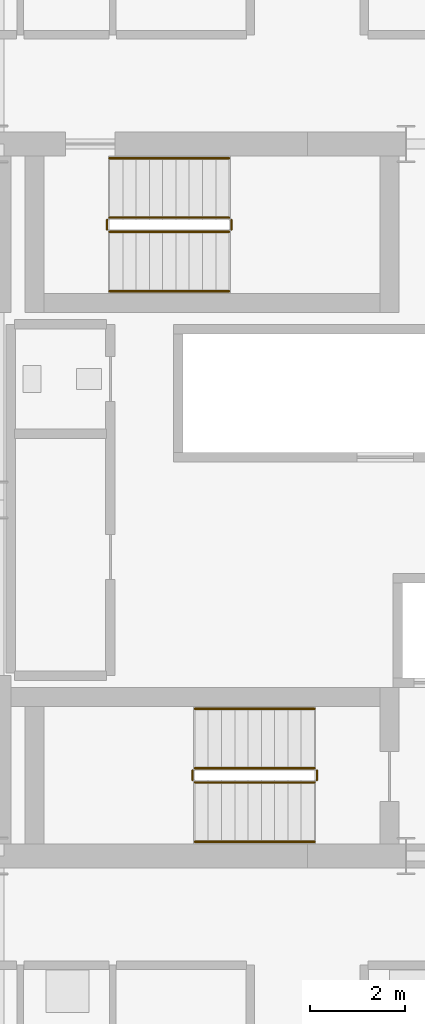
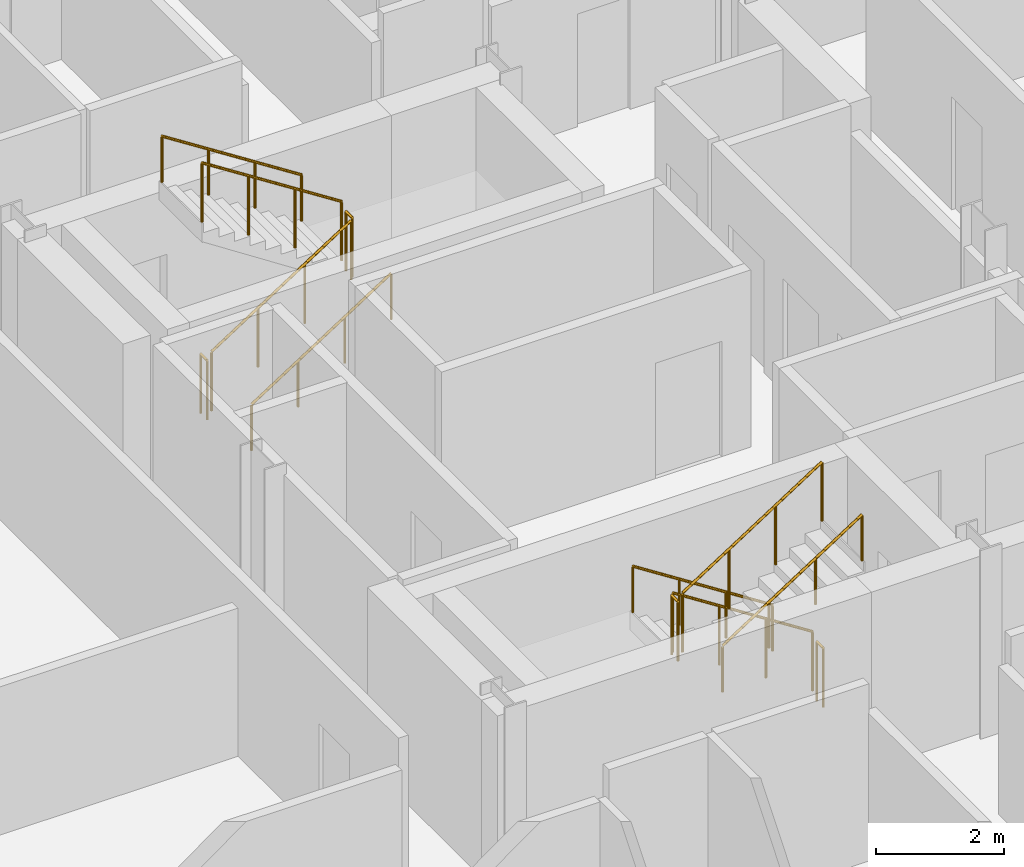
# One storey, part 23 of 24: 12 railings.
"""IFC4 building model written with IfcOpenShell, lengths in metres."""

from ifc_helpers import new_model, si_unit, direction, frame, origin, origin_2d, place, context, subcontext, project, spatial, circle, extrude, material, type_object, element, save


model = new_model("IFC4")

# Units and contexts
model_context = context("Model", 3, precision=1e-05, world=origin(), true_north=direction((0.0, 1.0)))
body_context = subcontext(model_context, "Body", "Model", "MODEL_VIEW")
ifc_project = project(units=[si_unit("LENGTHUNIT", "METRE"), si_unit("AREAUNIT", "SQUARE_METRE"), si_unit("VOLUMEUNIT", "CUBIC_METRE"), si_unit("PLANEANGLEUNIT", "RADIAN"), si_unit("MASSUNIT", "GRAM", prefix="KILO")], contexts=[model_context])

# Site, building, storey
site_placement = place(None, origin())
site = spatial("IfcSite", under=ifc_project, at=site_placement, CompositionType="ELEMENT")
building_placement = place(site_placement, origin())
building = spatial("IfcBuilding", under=site, at=building_placement, Name="Barlavira Tower and Art Museum", CompositionType="ELEMENT")
storey_placement = place(building_placement, frame((0.0, 0.0, 201.60009765625)))
storey = spatial("IfcBuildingStorey", under=building, at=storey_placement, Name="L52", CompositionType="ELEMENT", Elevation=201.60009765625)

# Railings
ifc_material = material(Name="Brushed stainless steel", Category="steel")
railing_type_1 = type_object("IfcRailingType", Name="Interior Void and Landing Guard Railing 1150", PredefinedType="GUARDRAIL", material=ifc_material)
railing_1_placement = place(storey_placement, frame((0.14990234375, -5.64990234375, 0.179931640625)))
element("IfcRailing", 1, at=railing_1_placement, inside=storey, type_object=railing_type_1, Name="L52 ST-T1 stair guard 1", PredefinedType="GUARDRAIL", context=body_context, shape_type="SweptSolid", body=[
    extrude(circle(Radius=0.02392578125, at=origin_2d()), frame((0.0, 0.0, 1.1259765625), z_axis=(-0.841199657755, 0.0, 0.540724639528), x_axis=(0.0, -1.0, 0.0)), (0.0, 0.0, 1.0), 2.995849609375),
    extrude(circle(Radius=0.02099609375, at=origin_2d()), origin(), (0.0, 0.0, 1.0), 1.101806640625),
    extrude(circle(Radius=0.02099609375, at=origin_2d()), frame((-0.840087890625, 0.0, 0.5400390625)), (0.0, 0.0, 1.0), 1.101806640625),
    extrude(circle(Radius=0.02099609375, at=origin_2d()), frame((-1.679931640625, 0.0, 1.079833984375)), (0.0, 0.0, 1.0), 1.101806640625),
    extrude(circle(Radius=0.02099609375, at=origin_2d()), frame((-2.52001953125, 0.0, 1.619873046875)), (0.0, 0.0, 1.0), 1.101806640625),
])
railing_2_placement = place(storey_placement, frame((-2.419921875, -5.699951171875, 1.7998046875)))
element("IfcRailing", 2, at=railing_2_placement, inside=storey, type_object=railing_type_1, Name="L52 ST-T1 stair guard 2", PredefinedType="GUARDRAIL", context=body_context, shape_type="SweptSolid", body=[
    extrude(circle(Radius=0.02392578125, at=origin_2d()), frame((0.0, 0.0, 1.1259765625), z_axis=(0.0, -1.0, 0.0), x_axis=(1.0, 0.0, 0.0)), (0.0, 0.0, 1.0), 0.199951171875),
    extrude(circle(Radius=0.02099609375, at=origin_2d()), origin(), (0.0, 0.0, 1.0), 1.101806640625),
    extrude(circle(Radius=0.02099609375, at=origin_2d()), frame((0.0, -0.199951171875, 0.0)), (0.0, 0.0, 1.0), 1.101806640625),
])
railing_3_placement = place(storey_placement, frame((-2.3701171875, -5.949951171875, 1.97998046875)))
element("IfcRailing", 3, at=railing_3_placement, inside=storey, type_object=railing_type_1, Name="L52 ST-T1 stair guard 3", PredefinedType="GUARDRAIL", context=body_context, shape_type="SweptSolid", body=[
    extrude(circle(Radius=0.02392578125, at=origin_2d()), frame((0.0, 0.0, 1.1259765625), z_axis=(0.841199657755, 0.0, 0.540724639528), x_axis=(0.0, 1.0, 0.0)), (0.0, 0.0, 1.0), 2.995849609375),
    extrude(circle(Radius=0.02099609375, at=origin_2d()), origin(), (0.0, 0.0, 1.0), 1.101806640625),
    extrude(circle(Radius=0.02099609375, at=origin_2d()), frame((0.840087890625, 0.0, 0.5400390625)), (0.0, 0.0, 1.0), 1.101806640625),
    extrude(circle(Radius=0.02099609375, at=origin_2d()), frame((1.679931640625, 0.0, 1.079833984375)), (0.0, 0.0, 1.0), 1.101806640625),
    extrude(circle(Radius=0.02099609375, at=origin_2d()), frame((2.52001953125, 0.0, 1.619873046875)), (0.0, 0.0, 1.0), 1.101806640625),
])
railing_4_placement = place(storey_placement, frame((0.199951171875, -5.699951171875, 0.0)))
element("IfcRailing", 4, at=railing_4_placement, inside=storey, type_object=railing_type_1, Name="L52 ST-T1 stair guard 4", PredefinedType="GUARDRAIL", context=body_context, shape_type="SweptSolid", body=[
    extrude(circle(Radius=0.02392578125, at=origin_2d()), frame((0.0, 0.0, 1.1259765625), z_axis=(0.0, -1.0, 0.0), x_axis=(1.0, 0.0, 0.0)), (0.0, 0.0, 1.0), 0.199951171875),
    extrude(circle(Radius=0.02099609375, at=origin_2d()), origin(), (0.0, 0.0, 1.0), 1.101806640625),
    extrude(circle(Radius=0.02099609375, at=origin_2d()), frame((0.0, -0.199951171875, 0.0)), (0.0, 0.0, 1.0), 1.101806640625),
])
railing_5_placement = place(storey_placement, frame((-4.169921875, 5.64990234375, 0.179931640625)))
element("IfcRailing", 5, at=railing_5_placement, inside=storey, type_object=railing_type_1, Name="L52 ST-T2 stair guard 1", PredefinedType="GUARDRAIL", context=body_context, shape_type="SweptSolid", body=[
    extrude(circle(Radius=0.02392578125, at=origin_2d()), frame((0.0, 0.0, 1.1259765625), z_axis=(0.841199657755, 0.0, 0.540724639528), x_axis=(0.0, 1.0, 0.0)), (0.0, 0.0, 1.0), 2.995849609375),
    extrude(circle(Radius=0.02099609375, at=origin_2d()), origin(), (0.0, 0.0, 1.0), 1.101806640625),
    extrude(circle(Radius=0.02099609375, at=origin_2d()), frame((0.840087890625, 0.0, 0.5400390625)), (0.0, 0.0, 1.0), 1.101806640625),
    extrude(circle(Radius=0.02099609375, at=origin_2d()), frame((1.679931640625, 0.0, 1.079833984375)), (0.0, 0.0, 1.0), 1.101806640625),
    extrude(circle(Radius=0.02099609375, at=origin_2d()), frame((2.52001953125, 0.0, 1.619873046875)), (0.0, 0.0, 1.0), 1.101806640625),
])
railing_6_placement = place(storey_placement, frame((-1.60009765625, 5.699951171875, 1.7998046875)))
element("IfcRailing", 6, at=railing_6_placement, inside=storey, type_object=railing_type_1, Name="L52 ST-T2 stair guard 2", PredefinedType="GUARDRAIL", context=body_context, shape_type="SweptSolid", body=[
    extrude(circle(Radius=0.02392578125, at=origin_2d()), frame((0.0, 0.0, 1.1259765625), z_axis=(0.0, 1.0, 0.0), x_axis=(-1.0, 0.0, 0.0)), (0.0, 0.0, 1.0), 0.199951171875),
    extrude(circle(Radius=0.02099609375, at=origin_2d()), origin(), (0.0, 0.0, 1.0), 1.101806640625),
    extrude(circle(Radius=0.02099609375, at=origin_2d()), frame((0.0, 0.199951171875, 0.0)), (0.0, 0.0, 1.0), 1.101806640625),
])
railing_7_placement = place(storey_placement, frame((-1.64990234375, 5.949951171875, 1.97998046875)))
element("IfcRailing", 7, at=railing_7_placement, inside=storey, type_object=railing_type_1, Name="L52 ST-T2 stair guard 3", PredefinedType="GUARDRAIL", context=body_context, shape_type="SweptSolid", body=[
    extrude(circle(Radius=0.02392578125, at=origin_2d()), frame((0.0, 0.0, 1.1259765625), z_axis=(-0.841199657755, 0.0, 0.540724639528), x_axis=(0.0, -1.0, 0.0)), (0.0, 0.0, 1.0), 2.995849609375),
    extrude(circle(Radius=0.02099609375, at=origin_2d()), origin(), (0.0, 0.0, 1.0), 1.101806640625),
    extrude(circle(Radius=0.02099609375, at=origin_2d()), frame((-0.840087890625, 0.0, 0.5400390625)), (0.0, 0.0, 1.0), 1.101806640625),
    extrude(circle(Radius=0.02099609375, at=origin_2d()), frame((-1.679931640625, 0.0, 1.079833984375)), (0.0, 0.0, 1.0), 1.101806640625),
    extrude(circle(Radius=0.02099609375, at=origin_2d()), frame((-2.52001953125, 0.0, 1.619873046875)), (0.0, 0.0, 1.0), 1.101806640625),
])
railing_8_placement = place(storey_placement, frame((-4.219970703125, 5.699951171875, 0.0)))
element("IfcRailing", 8, at=railing_8_placement, inside=storey, type_object=railing_type_1, Name="L52 ST-T2 stair guard 4", PredefinedType="GUARDRAIL", context=body_context, shape_type="SweptSolid", body=[
    extrude(circle(Radius=0.02392578125, at=origin_2d()), frame((0.0, 0.0, 1.1259765625), z_axis=(0.0, 1.0, 0.0), x_axis=(-1.0, 0.0, 0.0)), (0.0, 0.0, 1.0), 0.199951171875),
    extrude(circle(Radius=0.02099609375, at=origin_2d()), origin(), (0.0, 0.0, 1.0), 1.101806640625),
    extrude(circle(Radius=0.02099609375, at=origin_2d()), frame((0.0, 0.199951171875, 0.0)), (0.0, 0.0, 1.0), 1.101806640625),
])
railing_type_2 = type_object("IfcRailingType", Name="Stair Pitch Tubular Steel Handrail 920", PredefinedType="HANDRAIL", material=ifc_material)
railing_9_placement = place(storey_placement, frame((0.14990234375, -4.39990234375, 0.179931640625)))
element("IfcRailing", 9, at=railing_9_placement, inside=storey, type_object=railing_type_2, Name="L52 ST-T1 stair handrail 1", PredefinedType="HANDRAIL", context=body_context, shape_type="SweptSolid", body=[
    extrude(circle(Radius=0.02392578125, at=origin_2d()), frame((0.0, 0.0, 0.8759765625), z_axis=(-0.841199657755, 0.0, 0.540724639528), x_axis=(0.0, -1.0, 0.0)), (0.0, 0.0, 1.0), 2.995849609375),
    extrude(circle(Radius=0.02099609375, at=origin_2d()), origin(), (0.0, 0.0, 1.0), 0.851806640625),
    extrude(circle(Radius=0.02099609375, at=origin_2d()), frame((-0.840087890625, 0.0, 0.5400390625)), (0.0, 0.0, 1.0), 0.851806640625),
    extrude(circle(Radius=0.02099609375, at=origin_2d()), frame((-1.679931640625, 0.0, 1.079833984375)), (0.0, 0.0, 1.0), 0.851806640625),
    extrude(circle(Radius=0.02099609375, at=origin_2d()), frame((-2.52001953125, 0.0, 1.619873046875)), (0.0, 0.0, 1.0), 0.851806640625),
])
for number, where, name in (
    (10, (-2.3701171875, -7.199951171875, 1.97998046875), "L52 ST-T1 stair handrail 2"),
    (11, (-4.169921875, 4.39990234375, 0.179931640625), "L52 ST-T2 stair handrail 1"),
):
    element("IfcRailing", number, at=place(storey_placement, frame(where)), inside=storey, type_object=railing_type_2, Name=name, PredefinedType="HANDRAIL", context=body_context, shape_type="SweptSolid", body=[
        extrude(circle(Radius=0.02392578125, at=origin_2d()), frame((0.0, 0.0, 0.8759765625), z_axis=(0.841199657755, 0.0, 0.540724639528), x_axis=(0.0, 1.0, 0.0)), (0.0, 0.0, 1.0), 2.995849609375),
        extrude(circle(Radius=0.02099609375, at=origin_2d()), origin(), (0.0, 0.0, 1.0), 0.851806640625),
        extrude(circle(Radius=0.02099609375, at=origin_2d()), frame((0.840087890625, 0.0, 0.5400390625)), (0.0, 0.0, 1.0), 0.851806640625),
        extrude(circle(Radius=0.02099609375, at=origin_2d()), frame((1.679931640625, 0.0, 1.079833984375)), (0.0, 0.0, 1.0), 0.851806640625),
        extrude(circle(Radius=0.02099609375, at=origin_2d()), frame((2.52001953125, 0.0, 1.619873046875)), (0.0, 0.0, 1.0), 0.851806640625),
    ])
railing_10_placement = place(storey_placement, frame((-1.64990234375, 7.199951171875, 1.97998046875)))
element("IfcRailing", 12, at=railing_10_placement, inside=storey, type_object=railing_type_2, Name="L52 ST-T2 stair handrail 2", PredefinedType="HANDRAIL", context=body_context, shape_type="SweptSolid", body=[
    extrude(circle(Radius=0.02392578125, at=origin_2d()), frame((0.0, 0.0, 0.8759765625), z_axis=(-0.841199657755, 0.0, 0.540724639528), x_axis=(0.0, -1.0, 0.0)), (0.0, 0.0, 1.0), 2.995849609375),
    extrude(circle(Radius=0.02099609375, at=origin_2d()), origin(), (0.0, 0.0, 1.0), 0.851806640625),
    extrude(circle(Radius=0.02099609375, at=origin_2d()), frame((-0.840087890625, 0.0, 0.5400390625)), (0.0, 0.0, 1.0), 0.851806640625),
    extrude(circle(Radius=0.02099609375, at=origin_2d()), frame((-1.679931640625, 0.0, 1.079833984375)), (0.0, 0.0, 1.0), 0.851806640625),
    extrude(circle(Radius=0.02099609375, at=origin_2d()), frame((-2.52001953125, 0.0, 1.619873046875)), (0.0, 0.0, 1.0), 0.851806640625),
])

save(model, "model.ifc")
